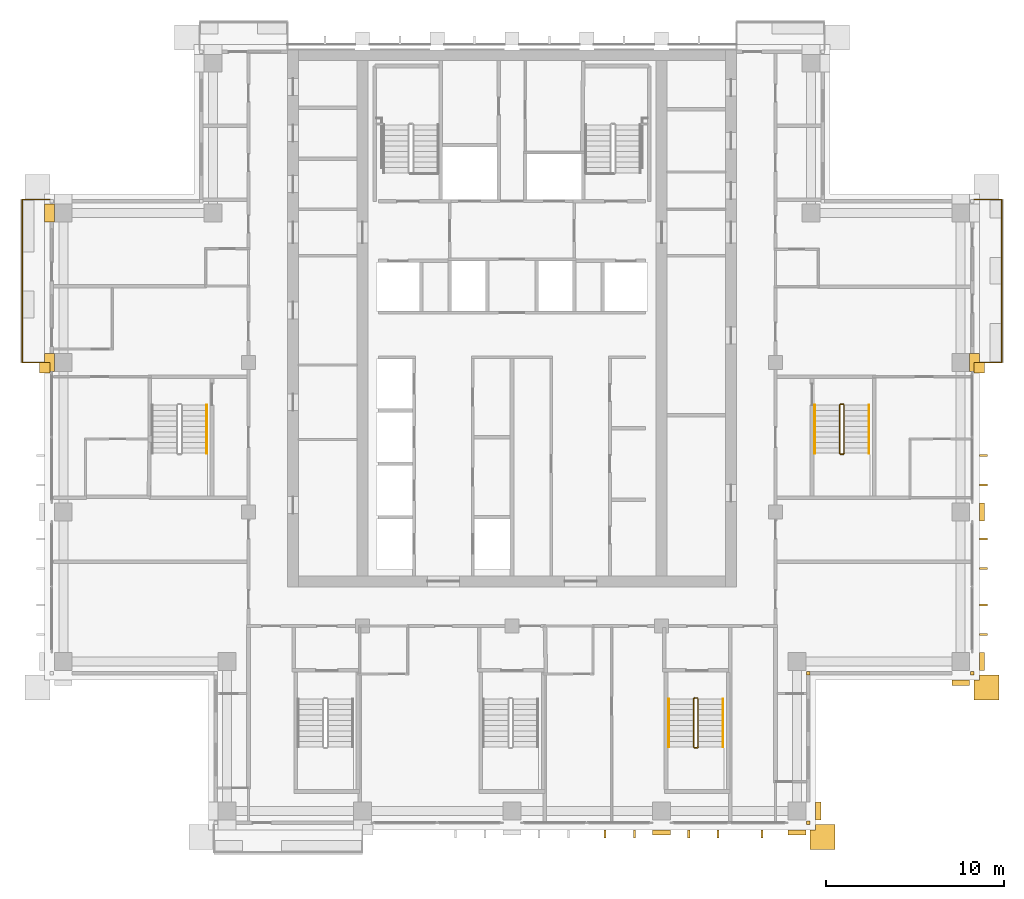
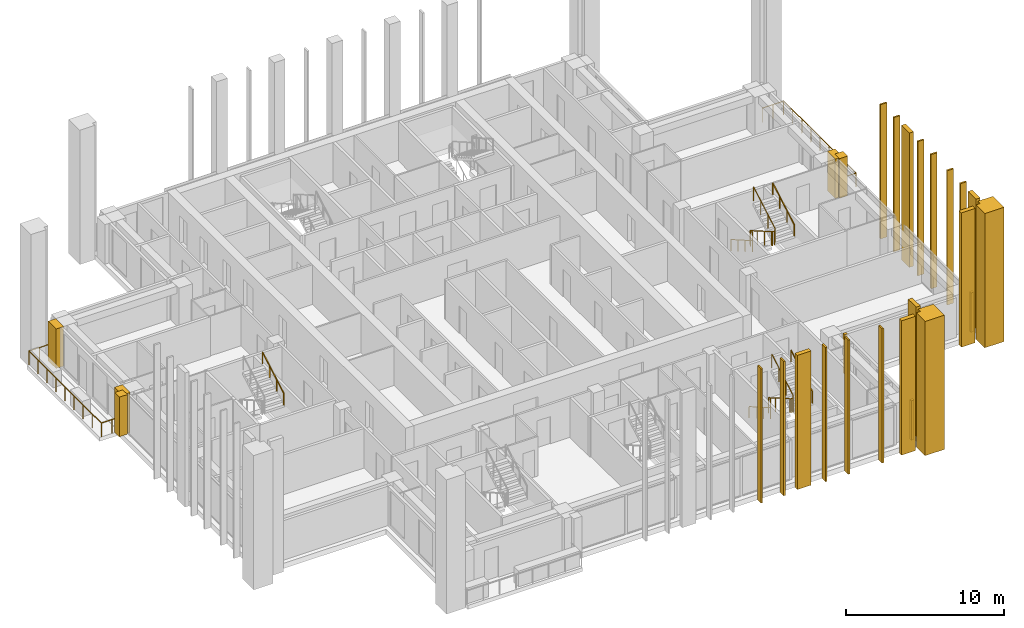
# One storey, part 15 of 17: 27 coverings, 9 railings.
"""IFC4 building model written with IfcOpenShell, lengths in metres."""

from ifc_helpers import new_model, si_unit, direction, frame, origin, origin_2d, place, context, subcontext, project, spatial, polyline, rectangle, outline, extrude, material, layer, layer_set, type_object, element, save


model = new_model("IFC4")

# Units and contexts
model_context = context("Model", 3, precision=1e-05, world=origin(), true_north=direction((0.0, 1.0)))
body_context = subcontext(model_context, "Body", "Model", "MODEL_VIEW")
ifc_project = project(units=[si_unit("LENGTHUNIT", "METRE"), si_unit("AREAUNIT", "SQUARE_METRE"), si_unit("VOLUMEUNIT", "CUBIC_METRE"), si_unit("PLANEANGLEUNIT", "RADIAN"), si_unit("MASSUNIT", "GRAM", prefix="KILO")], contexts=[model_context])

# Site, building, storey
site_placement = place(None, origin())
site = spatial("IfcSite", under=ifc_project, at=site_placement, CompositionType="ELEMENT")
building_placement = place(site_placement, origin())
building = spatial("IfcBuilding", under=site, at=building_placement, Name="Vermilion Ogive Tower", CompositionType="ELEMENT")
storey_placement = place(building_placement, frame((0.0, 0.0, 175.550048828125)))
storey = spatial("IfcBuildingStorey", under=building, at=storey_placement, Name="L45", CompositionType="ELEMENT", Elevation=175.550048828125)

# Railings
ifc_material_1 = material(Name="Stainless steel and glass", Category="steel")
railing_type_1 = type_object("IfcRailingType", Name="Balcony guard", PredefinedType="GUARDRAIL", material=ifc_material_1)
railing_1_placement = place(storey_placement, frame((25.949951171875, 4.199951171875, -0.0400390625)))
element("IfcRailing", 1, at=railing_1_placement, inside=storey, type_object=railing_type_1, Name="Guard E03", PredefinedType="GUARDRAIL", context=body_context, shape_type="SweptSolid", body=[
    extrude(rectangle(XDim=0.048095703125, YDim=0.048095703125, at=origin_2d()), frame((0.0, 0.0, 1.076171875), z_axis=(1.0, 0.0, 0.0), x_axis=(0.0, 1.0, 0.0)), (0.0, 0.0, 1.0), 1.56396484375),
    extrude(rectangle(XDim=0.048095703125, YDim=0.048095703125, at=origin_2d()), frame((1.56396484375, 0.0, 1.076171875), z_axis=(0.0, 1.0, 0.0), x_axis=(-1.0, 0.0, 0.0)), (0.0, 0.0, 1.0), 9.150146484375),
    extrude(rectangle(XDim=0.048095703125, YDim=0.048095703125, at=origin_2d()), frame((1.56396484375, 9.150146484375, 1.076171875), z_axis=(-1.0, 0.0, 0.0), x_axis=(0.0, -1.0, 0.0)), (0.0, 0.0, 1.0), 1.56396484375),
    extrude(rectangle(XDim=0.0419921875, YDim=0.0419921875, at=origin_2d()), origin(), (0.0, 0.0, 1.0), 1.052001953125),
    extrude(rectangle(XDim=0.0419921875, YDim=0.0419921875, at=origin_2d()), frame((0.781982421875, 0.0, 0.0)), (0.0, 0.0, 1.0), 1.052001953125),
    extrude(rectangle(XDim=0.0419921875, YDim=0.0419921875, at=origin_2d()), frame((1.56396484375, 0.0, 0.0)), (0.0, 0.0, 1.0), 1.052001953125),
    extrude(rectangle(XDim=0.0419921875, YDim=0.0419921875, at=origin_2d()), frame((1.56396484375, 1.143798828125, 0.0)), (0.0, 0.0, 1.0), 1.052001953125),
    extrude(rectangle(XDim=0.0419921875, YDim=0.0419921875, at=origin_2d()), frame((1.56396484375, 2.28759765625, 0.0)), (0.0, 0.0, 1.0), 1.052001953125),
    extrude(rectangle(XDim=0.0419921875, YDim=0.0419921875, at=origin_2d()), frame((1.56396484375, 3.431396484375, 0.0)), (0.0, 0.0, 1.0), 1.052001953125),
    extrude(rectangle(XDim=0.0419921875, YDim=0.0419921875, at=origin_2d()), frame((1.56396484375, 4.5751953125, 0.0)), (0.0, 0.0, 1.0), 1.052001953125),
    extrude(rectangle(XDim=0.0419921875, YDim=0.0419921875, at=origin_2d()), frame((1.56396484375, 5.71875, 0.0)), (0.0, 0.0, 1.0), 1.052001953125),
    extrude(rectangle(XDim=0.0419921875, YDim=0.0419921875, at=origin_2d()), frame((1.56396484375, 6.862548828125, 0.0)), (0.0, 0.0, 1.0), 1.052001953125),
    extrude(rectangle(XDim=0.0419921875, YDim=0.0419921875, at=origin_2d()), frame((1.56396484375, 8.00634765625, 0.0)), (0.0, 0.0, 1.0), 1.052001953125),
    extrude(rectangle(XDim=0.0419921875, YDim=0.0419921875, at=origin_2d()), frame((1.56396484375, 9.150146484375, 0.0)), (0.0, 0.0, 1.0), 1.052001953125),
    extrude(rectangle(XDim=0.0419921875, YDim=0.0419921875, at=origin_2d()), frame((0.781982421875, 9.150146484375, 0.0)), (0.0, 0.0, 1.0), 1.052001953125),
    extrude(rectangle(XDim=0.0419921875, YDim=0.0419921875, at=origin_2d()), frame((0.0, 9.150146484375, 0.0)), (0.0, 0.0, 1.0), 1.052001953125),
])
railing_2_placement = place(storey_placement, frame((-25.949951171875, 13.35009765625, -0.0400390625)))
element("IfcRailing", 2, at=railing_2_placement, inside=storey, type_object=railing_type_1, Name="Guard W01", PredefinedType="GUARDRAIL", context=body_context, shape_type="SweptSolid", body=[
    extrude(rectangle(XDim=0.048095703125, YDim=0.048095703125, at=origin_2d()), frame((0.0, 0.0, 1.076171875), z_axis=(-1.0, 0.0, 0.0), x_axis=(0.0, -1.0, 0.0)), (0.0, 0.0, 1.0), 1.56396484375),
    extrude(rectangle(XDim=0.048095703125, YDim=0.048095703125, at=origin_2d()), frame((-1.56396484375, 0.0, 1.076171875), z_axis=(0.0, -1.0, 0.0), x_axis=(1.0, 0.0, 0.0)), (0.0, 0.0, 1.0), 9.150146484375),
    extrude(rectangle(XDim=0.048095703125, YDim=0.048095703125, at=origin_2d()), frame((-1.56396484375, -9.150146484375, 1.076171875), z_axis=(1.0, 0.0, 0.0), x_axis=(0.0, 1.0, 0.0)), (0.0, 0.0, 1.0), 1.56396484375),
    extrude(rectangle(XDim=0.0419921875, YDim=0.0419921875, at=origin_2d()), origin(), (0.0, 0.0, 1.0), 1.052001953125),
    extrude(rectangle(XDim=0.0419921875, YDim=0.0419921875, at=origin_2d()), frame((-0.781982421875, 0.0, 0.0)), (0.0, 0.0, 1.0), 1.052001953125),
    extrude(rectangle(XDim=0.0419921875, YDim=0.0419921875, at=origin_2d()), frame((-1.56396484375, 0.0, 0.0)), (0.0, 0.0, 1.0), 1.052001953125),
    extrude(rectangle(XDim=0.0419921875, YDim=0.0419921875, at=origin_2d()), frame((-1.56396484375, -1.143798828125, 0.0)), (0.0, 0.0, 1.0), 1.052001953125),
    extrude(rectangle(XDim=0.0419921875, YDim=0.0419921875, at=origin_2d()), frame((-1.56396484375, -2.28759765625, 0.0)), (0.0, 0.0, 1.0), 1.052001953125),
    extrude(rectangle(XDim=0.0419921875, YDim=0.0419921875, at=origin_2d()), frame((-1.56396484375, -3.431396484375, 0.0)), (0.0, 0.0, 1.0), 1.052001953125),
    extrude(rectangle(XDim=0.0419921875, YDim=0.0419921875, at=origin_2d()), frame((-1.56396484375, -4.5751953125, 0.0)), (0.0, 0.0, 1.0), 1.052001953125),
    extrude(rectangle(XDim=0.0419921875, YDim=0.0419921875, at=origin_2d()), frame((-1.56396484375, -5.71875, 0.0)), (0.0, 0.0, 1.0), 1.052001953125),
    extrude(rectangle(XDim=0.0419921875, YDim=0.0419921875, at=origin_2d()), frame((-1.56396484375, -6.862548828125, 0.0)), (0.0, 0.0, 1.0), 1.052001953125),
    extrude(rectangle(XDim=0.0419921875, YDim=0.0419921875, at=origin_2d()), frame((-1.56396484375, -8.00634765625, 0.0)), (0.0, 0.0, 1.0), 1.052001953125),
    extrude(rectangle(XDim=0.0419921875, YDim=0.0419921875, at=origin_2d()), frame((-1.56396484375, -9.150146484375, 0.0)), (0.0, 0.0, 1.0), 1.052001953125),
    extrude(rectangle(XDim=0.0419921875, YDim=0.0419921875, at=origin_2d()), frame((-0.781982421875, -9.150146484375, 0.0)), (0.0, 0.0, 1.0), 1.052001953125),
    extrude(rectangle(XDim=0.0419921875, YDim=0.0419921875, at=origin_2d()), frame((0.0, -9.150146484375, 0.0)), (0.0, 0.0, 1.0), 1.052001953125),
])

# Coverings
ifc_material_2 = material(Name="Glazed ceramic screen")
ifc_layer = layer(ifc_material_2, 0.14990234375)
ifc_layer_set = layer_set([ifc_layer], Name="Ceramic solar screen fin")
covering_type_1 = type_object("IfcCoveringType", Name="Ceramic solar screen fin", PredefinedType="CLADDING", material=ifc_layer_set)
covering_1_placement = place(storey_placement, frame((0.0, 0.0, -0.400146484375)))
element("IfcCovering", 3, at=covering_1_placement, inside=storey, type_object=covering_type_1, Name="Solar screen blade S011", PredefinedType="CLADDING", context=body_context, shape_type="SweptSolid", body=[
    extrude(outline(polyline([(5.1650390625, -22.5), (5.284912109375, -22.5), (5.284912109375, -22.050048828125), (5.1650390625, -22.050048828125), (5.1650390625, -22.5)])), origin(), (0.0, 0.0, 1.0), 10.35009765625),
])
covering_2_placement = place(storey_placement, frame((0.0, 0.0, -0.400146484375)))
element("IfcCovering", 4, at=covering_2_placement, inside=storey, type_object=covering_type_1, Name="Solar screen blade S012", PredefinedType="CLADDING", context=body_context, shape_type="SweptSolid", body=[
    extrude(outline(polyline([(6.81494140625, -22.5), (6.93505859375, -22.5), (6.93505859375, -22.050048828125), (6.81494140625, -22.050048828125), (6.81494140625, -22.5)])), origin(), (0.0, 0.0, 1.0), 10.35009765625),
])
covering_3_placement = place(storey_placement, frame((0.0, 0.0, -0.400146484375)))
element("IfcCovering", 5, at=covering_3_placement, inside=storey, type_object=covering_type_1, Name="Solar screen blade S021", PredefinedType="CLADDING", context=body_context, shape_type="SweptSolid", body=[
    extrude(outline(polyline([(9.864990234375, -22.5), (9.985107421875, -22.5), (9.985107421875, -22.050048828125), (9.864990234375, -22.050048828125), (9.864990234375, -22.5)])), origin(), (0.0, 0.0, 1.0), 10.35009765625),
])
covering_4_placement = place(storey_placement, frame((0.0, 0.0, -0.400146484375)))
element("IfcCovering", 6, at=covering_4_placement, inside=storey, type_object=covering_type_1, Name="Solar screen blade S022", PredefinedType="CLADDING", context=body_context, shape_type="SweptSolid", body=[
    extrude(outline(polyline([(11.514892578125, -22.5), (11.635009765625, -22.5), (11.635009765625, -22.050048828125), (11.514892578125, -22.050048828125), (11.514892578125, -22.5)])), origin(), (0.0, 0.0, 1.0), 10.35009765625),
])
covering_5_placement = place(storey_placement, frame((0.0, 0.0, -0.400146484375)))
element("IfcCovering", 7, at=covering_5_placement, inside=storey, type_object=covering_type_1, Name="Solar screen blade S031", PredefinedType="CLADDING", context=body_context, shape_type="SweptSolid", body=[
    extrude(outline(polyline([(13.989990234375, -22.5), (14.110107421875, -22.5), (14.110107421875, -22.050048828125), (13.989990234375, -22.050048828125), (13.989990234375, -22.5)])), origin(), (0.0, 0.0, 1.0), 10.35009765625),
])
covering_6_placement = place(storey_placement, frame((0.0, 0.0, -0.400146484375)))
element("IfcCovering", 8, at=covering_6_placement, inside=storey, type_object=covering_type_1, Name="Solar screen blade E971", PredefinedType="CLADDING", context=body_context, shape_type="SweptSolid", body=[
    extrude(outline(polyline([(26.699951171875, -11.135009765625), (26.699951171875, -11.014892578125), (26.25, -11.014892578125), (26.25, -11.135009765625), (26.699951171875, -11.135009765625)])), origin(), (0.0, 0.0, 1.0), 10.35009765625),
])
covering_7_placement = place(storey_placement, frame((0.0, 0.0, -0.400146484375)))
element("IfcCovering", 9, at=covering_7_placement, inside=storey, type_object=covering_type_1, Name="Solar screen blade E972", PredefinedType="CLADDING", context=body_context, shape_type="SweptSolid", body=[
    extrude(outline(polyline([(26.699951171875, -9.485107421875), (26.699951171875, -9.364990234375), (26.25, -9.364990234375), (26.25, -9.485107421875), (26.699951171875, -9.485107421875)])), origin(), (0.0, 0.0, 1.0), 10.35009765625),
])
covering_8_placement = place(storey_placement, frame((0.0, 0.0, -0.400146484375)))
element("IfcCovering", 10, at=covering_8_placement, inside=storey, type_object=covering_type_1, Name="Solar screen blade E981", PredefinedType="CLADDING", context=body_context, shape_type="SweptSolid", body=[
    extrude(outline(polyline([(26.699951171875, -7.43505859375), (26.699951171875, -7.31494140625), (26.25, -7.31494140625), (26.25, -7.43505859375), (26.699951171875, -7.43505859375)])), origin(), (0.0, 0.0, 1.0), 10.35009765625),
])
covering_9_placement = place(storey_placement, frame((0.0, 0.0, -0.400146484375)))
element("IfcCovering", 11, at=covering_9_placement, inside=storey, type_object=covering_type_1, Name="Solar screen blade E982", PredefinedType="CLADDING", context=body_context, shape_type="SweptSolid", body=[
    extrude(outline(polyline([(26.699951171875, -5.784912109375), (26.699951171875, -5.6650390625), (26.25, -5.6650390625), (26.25, -5.784912109375), (26.699951171875, -5.784912109375)])), origin(), (0.0, 0.0, 1.0), 10.35009765625),
])
covering_10_placement = place(storey_placement, frame((0.0, 0.0, -0.400146484375)))
element("IfcCovering", 12, at=covering_10_placement, inside=storey, type_object=covering_type_1, Name="Solar screen blade E991", PredefinedType="CLADDING", context=body_context, shape_type="SweptSolid", body=[
    extrude(outline(polyline([(26.699951171875, -2.735107421875), (26.699951171875, -2.614990234375), (26.25, -2.614990234375), (26.25, -2.735107421875), (26.699951171875, -2.735107421875)])), origin(), (0.0, 0.0, 1.0), 10.35009765625),
])
covering_11_placement = place(storey_placement, frame((0.0, 0.0, -0.400146484375)))
element("IfcCovering", 13, at=covering_11_placement, inside=storey, type_object=covering_type_1, Name="Solar screen blade E992", PredefinedType="CLADDING", context=body_context, shape_type="SweptSolid", body=[
    extrude(outline(polyline([(26.699951171875, -1.0849609375), (26.699951171875, -0.965087890625), (26.25, -0.965087890625), (26.25, -1.0849609375), (26.699951171875, -1.0849609375)])), origin(), (0.0, 0.0, 1.0), 10.35009765625),
])

# Railings
ifc_material_3 = material(Name="Steel S355 painted", Category="steel")
railing_type_2 = type_object("IfcRailingType", Name="Stair guard 1100", PredefinedType="GUARDRAIL", material=ifc_material_3)
railing_3_placement = place(storey_placement, frame((10.39990234375, -14.64990234375, 0.0)))
element("IfcRailing", 14, at=railing_3_placement, inside=storey, type_object=railing_type_2, Name="L45 ST5 stair guard 4", PredefinedType="GUARDRAIL", context=body_context, shape_type="SweptSolid", body=[
    extrude(rectangle(XDim=0.048095703125, YDim=0.048095703125, at=origin_2d()), frame((0.0, 0.0, 1.076171875), z_axis=(-1.0, 0.0, 0.0), x_axis=(0.0, -1.0, 0.0)), (0.0, 0.0, 1.0), 0.14990234375),
    extrude(rectangle(XDim=0.048095703125, YDim=0.048095703125, at=origin_2d()), frame((-0.14990234375, 0.0, 1.076171875), z_axis=(-0.268603158521, -0.268603158521, 0.925043072762), x_axis=(0.707106781187, -0.707106781187, 0.0)), (0.0, 0.0, 1.0), 0.186279296875),
    extrude(rectangle(XDim=0.048095703125, YDim=0.048095703125, at=origin_2d()), frame((-0.199951171875, -0.050048828125, 1.24853515625), z_axis=(0.0, -0.866903762492, 0.498475542607), x_axis=(1.0, 0.0, 0.0)), (0.0, 0.0, 1.0), 3.114501953125),
    extrude(rectangle(XDim=0.048095703125, YDim=0.048095703125, at=origin_2d()), frame((-0.199951171875, -2.75, 2.80078125), z_axis=(0.707106781187, -0.707106781187, 0.0), x_axis=(0.707106781187, 0.707106781187, 0.0)), (0.0, 0.0, 1.0), 0.07080078125),
    extrude(rectangle(XDim=0.048095703125, YDim=0.048095703125, at=origin_2d()), frame((-0.14990234375, -2.800048828125, 2.80078125), z_axis=(1.0, 0.0, 0.0), x_axis=(0.0, 1.0, 0.0)), (0.0, 0.0, 1.0), 0.14990234375),
    extrude(rectangle(XDim=0.048095703125, YDim=0.048095703125, at=origin_2d()), frame((0.0, -2.800048828125, 2.80078125), z_axis=(0.268277960024, 0.268277960024, 0.925231793839), x_axis=(-0.707106781187, 0.707106781187, 0.0)), (0.0, 0.0, 1.0), 0.1865234375),
    extrude(rectangle(XDim=0.048095703125, YDim=0.048095703125, at=origin_2d()), frame((0.050048828125, -2.75, 2.9736328125), z_axis=(0.0, 0.866903762492, 0.498475542607), x_axis=(-1.0, 0.0, 0.0)), (0.0, 0.0, 1.0), 3.114501953125),
    extrude(rectangle(XDim=0.0419921875, YDim=0.0419921875, at=origin_2d()), origin(), (0.0, 0.0, 1.0), 1.052001953125),
    extrude(rectangle(XDim=0.0419921875, YDim=0.0419921875, at=origin_2d()), frame((-0.14990234375, 0.0, 0.0)), (0.0, 0.0, 1.0), 1.052001953125),
    extrude(rectangle(XDim=0.0419921875, YDim=0.0419921875, at=origin_2d()), frame((-0.199951171875, -0.050048828125, 0.17236328125)), (0.0, 0.0, 1.0), 1.052001953125),
    extrude(rectangle(XDim=0.0419921875, YDim=0.0419921875, at=origin_2d()), frame((-0.199951171875, -0.949951171875, 0.68994140625)), (0.0, 0.0, 1.0), 1.052001953125),
    extrude(rectangle(XDim=0.0419921875, YDim=0.0419921875, at=origin_2d()), frame((-0.199951171875, -1.85009765625, 1.207275390625)), (0.0, 0.0, 1.0), 1.052001953125),
    extrude(rectangle(XDim=0.0419921875, YDim=0.0419921875, at=origin_2d()), frame((-0.199951171875, -2.75, 1.724853515625)), (0.0, 0.0, 1.0), 1.052001953125),
    extrude(rectangle(XDim=0.0419921875, YDim=0.0419921875, at=origin_2d()), frame((-0.14990234375, -2.800048828125, 1.724853515625)), (0.0, 0.0, 1.0), 1.052001953125),
    extrude(rectangle(XDim=0.0419921875, YDim=0.0419921875, at=origin_2d()), frame((0.0, -2.800048828125, 1.724853515625)), (0.0, 0.0, 1.0), 1.052001953125),
    extrude(rectangle(XDim=0.0419921875, YDim=0.0419921875, at=origin_2d()), frame((0.050048828125, -2.75, 1.8974609375)), (0.0, 0.0, 1.0), 1.052001953125),
    extrude(rectangle(XDim=0.0419921875, YDim=0.0419921875, at=origin_2d()), frame((0.050048828125, -1.85009765625, 2.4150390625)), (0.0, 0.0, 1.0), 1.052001953125),
    extrude(rectangle(XDim=0.0419921875, YDim=0.0419921875, at=origin_2d()), frame((0.050048828125, -0.949951171875, 2.932373046875)), (0.0, 0.0, 1.0), 1.052001953125),
    extrude(rectangle(XDim=0.0419921875, YDim=0.0419921875, at=origin_2d()), frame((0.050048828125, -0.050048828125, 3.449951171875)), (0.0, 0.0, 1.0), 1.052001953125),
])
railing_4_placement = place(storey_placement, frame((18.60009765625, 1.85009765625, 0.0)))
element("IfcRailing", 15, at=railing_4_placement, inside=storey, type_object=railing_type_2, Name="L45 ST8 stair guard 4", PredefinedType="GUARDRAIL", context=body_context, shape_type="SweptSolid", body=[
    extrude(rectangle(XDim=0.048095703125, YDim=0.048095703125, at=origin_2d()), frame((0.0, 0.0, 1.076171875), z_axis=(-1.0, 0.0, 0.0), x_axis=(0.0, -1.0, 0.0)), (0.0, 0.0, 1.0), 0.150146484375),
    extrude(rectangle(XDim=0.048095703125, YDim=0.048095703125, at=origin_2d()), frame((-0.150146484375, 0.0, 1.076171875), z_axis=(-0.268603158521, -0.268603158521, 0.925043072762), x_axis=(0.707106781187, -0.707106781187, 0.0)), (0.0, 0.0, 1.0), 0.186279296875),
    extrude(rectangle(XDim=0.048095703125, YDim=0.048095703125, at=origin_2d()), frame((-0.2001953125, -0.050048828125, 1.24853515625), z_axis=(0.0, -0.866903762492, 0.498475542607), x_axis=(1.0, 0.0, 0.0)), (0.0, 0.0, 1.0), 3.114501953125),
    extrude(rectangle(XDim=0.048095703125, YDim=0.048095703125, at=origin_2d()), frame((-0.2001953125, -2.75, 2.80078125), z_axis=(0.707106781187, -0.707106781187, 0.0), x_axis=(0.707106781187, 0.707106781187, 0.0)), (0.0, 0.0, 1.0), 0.07080078125),
    extrude(rectangle(XDim=0.048095703125, YDim=0.048095703125, at=origin_2d()), frame((-0.150146484375, -2.800048828125, 2.80078125), z_axis=(1.0, 0.0, 0.0), x_axis=(0.0, 1.0, 0.0)), (0.0, 0.0, 1.0), 0.150146484375),
    extrude(rectangle(XDim=0.048095703125, YDim=0.048095703125, at=origin_2d()), frame((0.0, -2.800048828125, 2.80078125), z_axis=(0.267062837333, 0.268371968888, 0.925556009775), x_axis=(-0.708833529934, 0.705375805398, 0.0)), (0.0, 0.0, 1.0), 0.1865234375),
    extrude(rectangle(XDim=0.048095703125, YDim=0.048095703125, at=origin_2d()), frame((0.0498046875, -2.75, 2.9736328125), z_axis=(0.0, 0.866903762492, 0.498475542607), x_axis=(-1.0, 0.0, 0.0)), (0.0, 0.0, 1.0), 3.114501953125),
    extrude(rectangle(XDim=0.0419921875, YDim=0.0419921875, at=origin_2d()), origin(), (0.0, 0.0, 1.0), 1.052001953125),
    extrude(rectangle(XDim=0.0419921875, YDim=0.0419921875, at=origin_2d()), frame((-0.150146484375, 0.0, 0.0)), (0.0, 0.0, 1.0), 1.052001953125),
    extrude(rectangle(XDim=0.0419921875, YDim=0.0419921875, at=origin_2d()), frame((-0.2001953125, -0.050048828125, 0.17236328125)), (0.0, 0.0, 1.0), 1.052001953125),
    extrude(rectangle(XDim=0.0419921875, YDim=0.0419921875, at=origin_2d()), frame((-0.2001953125, -0.949951171875, 0.68994140625)), (0.0, 0.0, 1.0), 1.052001953125),
    extrude(rectangle(XDim=0.0419921875, YDim=0.0419921875, at=origin_2d()), frame((-0.2001953125, -1.85009765625, 1.207275390625)), (0.0, 0.0, 1.0), 1.052001953125),
    extrude(rectangle(XDim=0.0419921875, YDim=0.0419921875, at=origin_2d()), frame((-0.2001953125, -2.75, 1.724853515625)), (0.0, 0.0, 1.0), 1.052001953125),
    extrude(rectangle(XDim=0.0419921875, YDim=0.0419921875, at=origin_2d()), frame((-0.150146484375, -2.800048828125, 1.724853515625)), (0.0, 0.0, 1.0), 1.052001953125),
    extrude(rectangle(XDim=0.0419921875, YDim=0.0419921875, at=origin_2d()), frame((0.0, -2.800048828125, 1.724853515625)), (0.0, 0.0, 1.0), 1.052001953125),
    extrude(rectangle(XDim=0.0419921875, YDim=0.0419921875, at=origin_2d()), frame((0.0498046875, -2.75, 1.8974609375)), (0.0, 0.0, 1.0), 1.052001953125),
    extrude(rectangle(XDim=0.0419921875, YDim=0.0419921875, at=origin_2d()), frame((0.0498046875, -1.85009765625, 2.4150390625)), (0.0, 0.0, 1.0), 1.052001953125),
    extrude(rectangle(XDim=0.0419921875, YDim=0.0419921875, at=origin_2d()), frame((0.0498046875, -0.949951171875, 2.932373046875)), (0.0, 0.0, 1.0), 1.052001953125),
    extrude(rectangle(XDim=0.0419921875, YDim=0.0419921875, at=origin_2d()), frame((0.0498046875, -0.050048828125, 3.449951171875)), (0.0, 0.0, 1.0), 1.052001953125),
])
ifc_material_4 = material(Name="Stainless steel", Category="steel")
railing_type_3 = type_object("IfcRailingType", Name="Stair handrail 900", PredefinedType="HANDRAIL", material=ifc_material_4)
railing_5_placement = place(storey_placement, frame((8.800048828125, -14.699951171875, 0.17236328125)))
element("IfcRailing", 16, at=railing_5_placement, inside=storey, type_object=railing_type_3, Name="L45 ST5 stair handrail 1", PredefinedType="HANDRAIL", context=body_context, shape_type="SweptSolid", body=[
    extrude(rectangle(XDim=0.048095703125, YDim=0.048095703125, at=origin_2d()), frame((0.0, 0.0, 0.8759765625), z_axis=(0.0, -0.866903762492, 0.498475542607), x_axis=(1.0, 0.0, 0.0)), (0.0, 0.0, 1.0), 3.114501953125),
    extrude(rectangle(XDim=0.0419921875, YDim=0.0419921875, at=origin_2d()), origin(), (0.0, 0.0, 1.0), 0.851806640625),
    extrude(rectangle(XDim=0.0419921875, YDim=0.0419921875, at=origin_2d()), frame((0.0, -0.89990234375, 0.517578125)), (0.0, 0.0, 1.0), 0.851806640625),
    extrude(rectangle(XDim=0.0419921875, YDim=0.0419921875, at=origin_2d()), frame((0.0, -1.800048828125, 1.034912109375)), (0.0, 0.0, 1.0), 0.851806640625),
    extrude(rectangle(XDim=0.0419921875, YDim=0.0419921875, at=origin_2d()), frame((0.0, -2.699951171875, 1.552490234375)), (0.0, 0.0, 1.0), 0.851806640625),
])
railing_6_placement = place(storey_placement, frame((11.85009765625, -17.39990234375, 1.8974609375)))
element("IfcRailing", 17, at=railing_6_placement, inside=storey, type_object=railing_type_3, Name="L45 ST5 stair handrail 2", PredefinedType="HANDRAIL", context=body_context, shape_type="SweptSolid", body=[
    extrude(rectangle(XDim=0.048095703125, YDim=0.048095703125, at=origin_2d()), frame((0.0, 0.0, 0.8759765625), z_axis=(0.0, 0.866903762492, 0.498475542607), x_axis=(-1.0, 0.0, 0.0)), (0.0, 0.0, 1.0), 3.114501953125),
    extrude(rectangle(XDim=0.0419921875, YDim=0.0419921875, at=origin_2d()), origin(), (0.0, 0.0, 1.0), 0.851806640625),
    extrude(rectangle(XDim=0.0419921875, YDim=0.0419921875, at=origin_2d()), frame((0.0, 0.89990234375, 0.517578125)), (0.0, 0.0, 1.0), 0.851806640625),
    extrude(rectangle(XDim=0.0419921875, YDim=0.0419921875, at=origin_2d()), frame((0.0, 1.800048828125, 1.034912109375)), (0.0, 0.0, 1.0), 0.851806640625),
    extrude(rectangle(XDim=0.0419921875, YDim=0.0419921875, at=origin_2d()), frame((0.0, 2.699951171875, 1.552490234375)), (0.0, 0.0, 1.0), 0.851806640625),
])
railing_7_placement = place(storey_placement, frame((17.0, 1.800048828125, 0.17236328125)))
element("IfcRailing", 18, at=railing_7_placement, inside=storey, type_object=railing_type_3, Name="L45 ST8 stair handrail 1", PredefinedType="HANDRAIL", context=body_context, shape_type="SweptSolid", body=[
    extrude(rectangle(XDim=0.048095703125, YDim=0.048095703125, at=origin_2d()), frame((0.0, 0.0, 0.8759765625), z_axis=(0.0, -0.866903762492, 0.498475542607), x_axis=(1.0, 0.0, 0.0)), (0.0, 0.0, 1.0), 3.114501953125),
    extrude(rectangle(XDim=0.0419921875, YDim=0.0419921875, at=origin_2d()), origin(), (0.0, 0.0, 1.0), 0.851806640625),
    extrude(rectangle(XDim=0.0419921875, YDim=0.0419921875, at=origin_2d()), frame((0.0, -0.89990234375, 0.517578125)), (0.0, 0.0, 1.0), 0.851806640625),
    extrude(rectangle(XDim=0.0419921875, YDim=0.0419921875, at=origin_2d()), frame((0.0, -1.800048828125, 1.034912109375)), (0.0, 0.0, 1.0), 0.851806640625),
    extrude(rectangle(XDim=0.0419921875, YDim=0.0419921875, at=origin_2d()), frame((0.0, -2.699951171875, 1.552490234375)), (0.0, 0.0, 1.0), 0.851806640625),
])
for number, where, name in (
    (19, (20.050048828125, -0.89990234375, 1.8974609375), "L45 ST8 stair handrail 2"),
    (20, (-17.14990234375, -0.89990234375, 1.8974609375), "L45 ST9 stair handrail 2"),
):
    element("IfcRailing", number, at=place(storey_placement, frame(where)), inside=storey, type_object=railing_type_3, Name=name, PredefinedType="HANDRAIL", context=body_context, shape_type="SweptSolid", body=[
        extrude(rectangle(XDim=0.048095703125, YDim=0.048095703125, at=origin_2d()), frame((0.0, 0.0, 0.8759765625), z_axis=(0.0, 0.866903762492, 0.498475542607), x_axis=(-1.0, 0.0, 0.0)), (0.0, 0.0, 1.0), 3.114501953125),
        extrude(rectangle(XDim=0.0419921875, YDim=0.0419921875, at=origin_2d()), origin(), (0.0, 0.0, 1.0), 0.851806640625),
        extrude(rectangle(XDim=0.0419921875, YDim=0.0419921875, at=origin_2d()), frame((0.0, 0.89990234375, 0.517578125)), (0.0, 0.0, 1.0), 0.851806640625),
        extrude(rectangle(XDim=0.0419921875, YDim=0.0419921875, at=origin_2d()), frame((0.0, 1.800048828125, 1.034912109375)), (0.0, 0.0, 1.0), 0.851806640625),
        extrude(rectangle(XDim=0.0419921875, YDim=0.0419921875, at=origin_2d()), frame((0.0, 2.699951171875, 1.552490234375)), (0.0, 0.0, 1.0), 0.851806640625),
    ])

# Coverings
ifc_material_5 = material(Name="Stone cladding", Category="masonry")
covering_type_2 = type_object("IfcCoveringType", Name="Stone corner buttress", PredefinedType="CLADDING", material=ifc_material_5)
covering_12_placement = place(storey_placement, origin())
element("IfcCovering", 21, at=covering_12_placement, inside=storey, type_object=covering_type_2, Name="Stone crease pier EK", PredefinedType="CLADDING", context=body_context, shape_type="SweptSolid", body=[
    extrude(outline(polyline([(26.550048828125, 3.60009765625), (26.550048828125, 4.199951171875), (25.949951171875, 4.199951171875), (25.949951171875, 3.60009765625), (26.550048828125, 3.60009765625)])), origin(), (0.0, 0.0, 1.0), 3.050048828125),
])
covering_13_placement = place(storey_placement, origin())
element("IfcCovering", 22, at=covering_13_placement, inside=storey, type_object=covering_type_2, Name="Stone crease pier WK", PredefinedType="CLADDING", context=body_context, shape_type="SweptSolid", body=[
    extrude(outline(polyline([(-26.550048828125, 4.199951171875), (-26.550048828125, 3.60009765625), (-25.949951171875, 3.60009765625), (-25.949951171875, 4.199951171875), (-26.550048828125, 4.199951171875)])), origin(), (0.0, 0.0, 1.0), 3.050048828125),
])
covering_14_placement = place(storey_placement, frame((0.0, 0.0, -0.400146484375)))
element("IfcCovering", 23, at=covering_14_placement, inside=storey, type_object=covering_type_2, Name="Stone corner buttress X11", PredefinedType="CLADDING", context=body_context, shape_type="SweptSolid", body=[
    extrude(outline(polyline([(16.75, -22.050048828125), (17.050048828125, -22.050048828125), (17.050048828125, -21.75), (18.14990234375, -21.75), (18.14990234375, -23.14990234375), (16.75, -23.14990234375), (16.75, -22.050048828125)])), origin(), (0.0, 0.0, 1.0), 10.35009765625),
])
covering_15_placement = place(storey_placement, frame((0.0, 0.0, -0.400146484375)))
element("IfcCovering", 24, at=covering_15_placement, inside=storey, type_object=covering_type_2, Name="Stone corner buttress E1", PredefinedType="CLADDING", context=body_context, shape_type="SweptSolid", body=[
    extrude(outline(polyline([(25.949951171875, -13.64990234375), (26.25, -13.64990234375), (26.25, -13.35009765625), (27.35009765625, -13.35009765625), (27.35009765625, -14.75), (25.949951171875, -14.75), (25.949951171875, -13.64990234375)])), origin(), (0.0, 0.0, 1.0), 10.35009765625),
])
ifc_material_6 = material(Name="Stone cladding", Category="masonry")
covering_type_3 = type_object("IfcCoveringType", Name="Stone pier", PredefinedType="CLADDING", material=ifc_material_6)
covering_16_placement = place(storey_placement, origin())
element("IfcCovering", 25, at=covering_16_placement, inside=storey, type_object=covering_type_3, Name="Stone corner pier SE1", PredefinedType="CLADDING", context=body_context, shape_type="SweptSolid", body=[
    extrude(outline(polyline([(16.550048828125, -21.550048828125), (16.75, -21.550048828125), (16.75, -21.75), (16.550048828125, -21.75), (16.550048828125, -21.550048828125)])), origin(), (0.0, 0.0, 1.0), 3.050048828125),
])
covering_17_placement = place(storey_placement, origin())
element("IfcCovering", 26, at=covering_17_placement, inside=storey, type_object=covering_type_3, Name="Stone corner pier X1E1", PredefinedType="CLADDING", context=body_context, shape_type="SweptSolid", body=[
    extrude(outline(polyline([(16.550048828125, -13.14990234375), (16.75, -13.14990234375), (16.75, -13.35009765625), (16.550048828125, -13.35009765625), (16.550048828125, -13.14990234375)])), origin(), (0.0, 0.0, 1.0), 3.050048828125),
])
covering_18_placement = place(storey_placement, origin())
element("IfcCovering", 27, at=covering_18_placement, inside=storey, type_object=covering_type_3, Name="Stone corner pier X2E1", PredefinedType="CLADDING", context=body_context, shape_type="SweptSolid", body=[
    extrude(outline(polyline([(25.75, -13.14990234375), (25.949951171875, -13.14990234375), (25.949951171875, -13.35009765625), (25.75, -13.35009765625), (25.75, -13.14990234375)])), origin(), (0.0, 0.0, 1.0), 3.050048828125),
])
covering_19_placement = place(storey_placement, frame((0.0, 0.0, -0.400146484375)))
element("IfcCovering", 28, at=covering_19_placement, inside=storey, type_object=covering_type_3, Name="Stone pier P+0084-210", PredefinedType="CLADDING", context=body_context, shape_type="SweptSolid", body=[
    extrude(outline(polyline([(8.89990234375, -22.35009765625), (7.89990234375, -22.35009765625), (7.89990234375, -22.050048828125), (8.89990234375, -22.050048828125), (8.89990234375, -22.35009765625)])), origin(), (0.0, 0.0, 1.0), 10.35009765625),
])
covering_20_placement = place(storey_placement, frame((0.0, 0.0, -0.400146484375)))
element("IfcCovering", 29, at=covering_20_placement, inside=storey, type_object=covering_type_3, Name="Stone pier P+0160-210S", PredefinedType="CLADDING", context=body_context, shape_type="SweptSolid", body=[
    extrude(outline(polyline([(16.5, -22.35009765625), (15.5, -22.35009765625), (15.5, -22.050048828125), (16.5, -22.050048828125), (16.5, -22.35009765625)])), origin(), (0.0, 0.0, 1.0), 10.35009765625),
])
covering_21_placement = place(storey_placement, frame((0.0, 0.0, -0.400146484375)))
element("IfcCovering", 30, at=covering_21_placement, inside=storey, type_object=covering_type_3, Name="Stone pier P+0160-210X1", PredefinedType="CLADDING", context=body_context, shape_type="SweptSolid", body=[
    extrude(outline(polyline([(17.35009765625, -21.5), (17.050048828125, -21.5), (17.050048828125, -20.5), (17.35009765625, -20.5), (17.35009765625, -21.5)])), origin(), (0.0, 0.0, 1.0), 10.35009765625),
])
covering_22_placement = place(storey_placement, frame((0.0, 0.0, -0.400146484375)))
element("IfcCovering", 31, at=covering_22_placement, inside=storey, type_object=covering_type_3, Name="Stone pier P+0252-042", PredefinedType="CLADDING", context=body_context, shape_type="SweptSolid", body=[
    extrude(outline(polyline([(26.550048828125, -3.699951171875), (26.550048828125, -4.699951171875), (26.25, -4.699951171875), (26.25, -3.699951171875), (26.550048828125, -3.699951171875)])), origin(), (0.0, 0.0, 1.0), 10.35009765625),
])
covering_23_placement = place(storey_placement, frame((0.0, 0.0, -0.400146484375)))
element("IfcCovering", 32, at=covering_23_placement, inside=storey, type_object=covering_type_3, Name="Stone pier P+0252-126X2", PredefinedType="CLADDING", context=body_context, shape_type="SweptSolid", body=[
    extrude(outline(polyline([(25.699951171875, -13.949951171875), (24.699951171875, -13.949951171875), (24.699951171875, -13.64990234375), (25.699951171875, -13.64990234375), (25.699951171875, -13.949951171875)])), origin(), (0.0, 0.0, 1.0), 10.35009765625),
])
covering_24_placement = place(storey_placement, frame((0.0, 0.0, -0.400146484375)))
element("IfcCovering", 33, at=covering_24_placement, inside=storey, type_object=covering_type_3, Name="Stone pier P+0252-126E", PredefinedType="CLADDING", context=body_context, shape_type="SweptSolid", body=[
    extrude(outline(polyline([(26.550048828125, -13.10009765625), (26.25, -13.10009765625), (26.25, -12.10009765625), (26.550048828125, -12.10009765625), (26.550048828125, -13.10009765625)])), origin(), (0.0, 0.0, 1.0), 10.35009765625),
])
covering_25_placement = place(storey_placement, origin())
element("IfcCovering", 34, at=covering_25_placement, inside=storey, type_object=covering_type_3, Name="Stone pier P+0252+042", PredefinedType="CLADDING", context=body_context, shape_type="SweptSolid", body=[
    extrude(outline(polyline([(25.699951171875, 4.699951171875), (26.25, 4.699951171875), (26.25, 4.199951171875), (25.949951171875, 4.199951171875), (25.949951171875, 3.699951171875), (25.699951171875, 3.699951171875), (25.699951171875, 4.699951171875), (25.699951171875, 4.699951171875)])), origin(), (0.0, 0.0, 1.0), 3.050048828125),
])
covering_26_placement = place(storey_placement, origin())
element("IfcCovering", 35, at=covering_26_placement, inside=storey, type_object=covering_type_3, Name="Stone pier P-0252+042", PredefinedType="CLADDING", context=body_context, shape_type="SweptSolid", body=[
    extrude(outline(polyline([(-25.699951171875, 3.699951171875), (-25.949951171875, 3.699951171875), (-25.949951171875, 4.199951171875), (-26.25, 4.199951171875), (-26.25, 4.699951171875), (-25.699951171875, 4.699951171875), (-25.699951171875, 4.699951171875), (-25.699951171875, 3.699951171875)])), origin(), (0.0, 0.0, 1.0), 3.050048828125),
])
covering_27_placement = place(storey_placement, origin())
element("IfcCovering", 36, at=covering_27_placement, inside=storey, type_object=covering_type_3, Name="Stone pier P-0252+126W", PredefinedType="CLADDING", context=body_context, shape_type="SweptSolid", body=[
    extrude(outline(polyline([(-26.25, 13.10009765625), (-25.699951171875, 13.10009765625), (-25.699951171875, 12.10009765625), (-26.25, 12.10009765625), (-26.25, 13.10009765625)])), origin(), (0.0, 0.0, 1.0), 3.050048828125),
])

save(model, "model.ifc")
